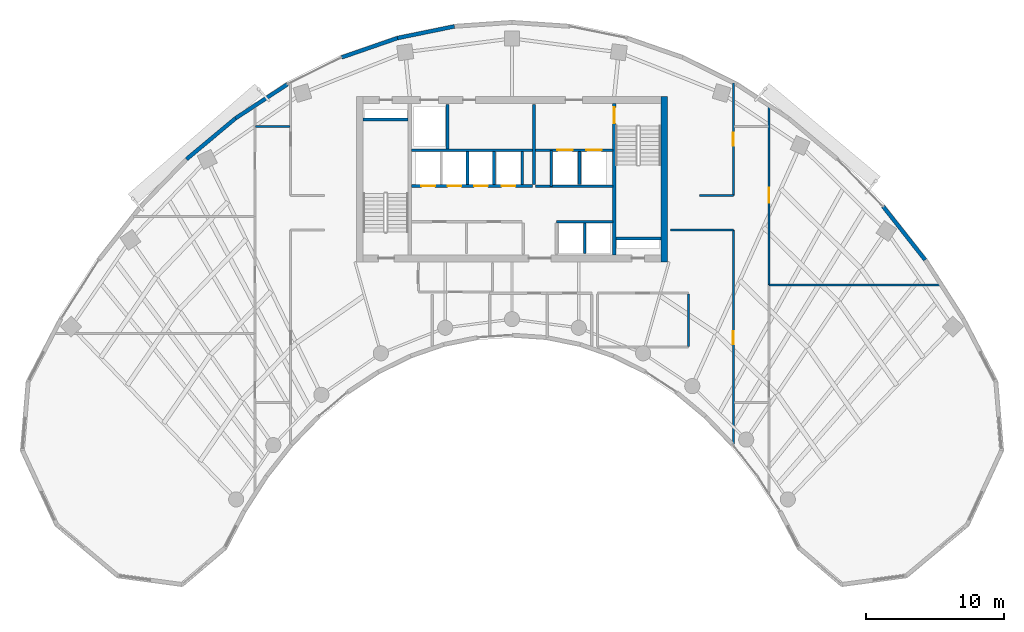
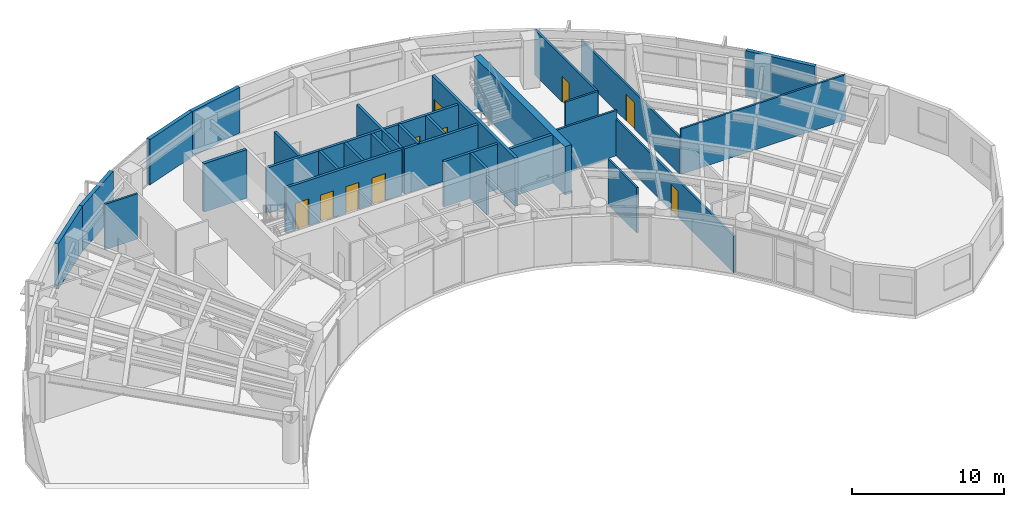
# One storey, part 9 of 12: 30 walls, 10 doors, 10 openings.
"""IFC4 building model written with IfcOpenShell, lengths in metres."""

from ifc_helpers import new_model, si_unit, direction, frame, frame_2d, origin, place, context, subcontext, project, spatial, rectangle, extrude, source, transform, mapped, material, layer, layer_set, type_object, type_shapes, element, fill, save


model = new_model("IFC4")

# Units and contexts
model_context = context("Model", 3, precision=1e-05, world=origin(), true_north=direction((0.0, 1.0)))
body_context = subcontext(model_context, "Body", "Model", "MODEL_VIEW")
ifc_project = project(units=[si_unit("LENGTHUNIT", "METRE"), si_unit("AREAUNIT", "SQUARE_METRE"), si_unit("VOLUMEUNIT", "CUBIC_METRE"), si_unit("PLANEANGLEUNIT", "RADIAN"), si_unit("MASSUNIT", "GRAM", prefix="KILO")], contexts=[model_context])

# Site, building, storey
site_placement = place(None, origin())
site = spatial("IfcSite", under=ifc_project, at=site_placement, CompositionType="ELEMENT")
building_placement = place(site_placement, origin())
building = spatial("IfcBuilding", under=site, at=building_placement, Name="Breltana Convention Tower", CompositionType="ELEMENT")
storey_placement = place(building_placement, frame((0.0, 0.0, 150.60009765625)))
storey = spatial("IfcBuildingStorey", under=building, at=storey_placement, Name="L36", CompositionType="ELEMENT", Elevation=150.60009765625)

# Walls
ifc_material_1 = material(Name="Concrete C60/75", Category="concrete")
ifc_layer_1 = layer(ifc_material_1, 0.5, Name="Concrete C60/75")
ifc_layer_set_1 = layer_set([ifc_layer_1], Name="Concrete C60/75")
wall_type_1 = type_object("IfcWallType", Name="SW-CORE-500", PredefinedType="SHEAR", material=ifc_layer_set_1)
shared_shape_1 = source(origin(), body_context, "Body", "SweptSolid", [
    extrude(rectangle(XDim=12.0, YDim=0.5, at=frame_2d((6.0, 0.0))), origin(), (0.0, 0.0, 1.0), 3.89990234375),
])
wall_1_placement = place(storey_placement, frame((59.050048828125, 60.199951171875, 0.0), z_axis=(0.0, 0.0, 1.0), x_axis=(0.0, 1.0, 0.0)))
element("IfcWall", 1, at=wall_1_placement, inside=storey, type_object=wall_type_1, Name="L36 East Core Shear Wall", PredefinedType="SHEAR", context=body_context, shape_type="MappedRepresentation", body=[
    mapped(shared_shape_1, transform((0.0, 0.0, 0.0), scale=1.0)),
])
ifc_material_2 = material(Name="Concrete C50/60", Category="concrete")
ifc_layer_2 = layer(ifc_material_2, 0.39990234375, Name="Concrete C50/60")
ifc_layer_set_2 = layer_set([ifc_layer_2], Name="Concrete C50/60")
wall_type_2 = type_object("IfcWallType", Name="SW-CORE-400", PredefinedType="SHEAR", material=ifc_layer_set_2)
shared_shape_2 = source(origin(), body_context, "Body", "SweptSolid", [
    extrude(rectangle(XDim=3.27001953125, YDim=0.219970703125, at=frame_2d((1.635009765625, 0.0))), origin(), (0.0, 0.0, 1.0), 3.89990234375),
])
for number, where, z_axis, x_axis, name in (
    (2, (37.199951171875, 70.510009765625, 0.0), (0.0, 0.0, 1.0), (1.0, 0.0, 0.0), "L36 ST-1 Stairwell North Bearing Wall"),
    (3, (55.530029296875, 61.889892578125, 0.0), (0.0, 0.0, 1.0), (1.0, 0.0, 0.0), "L36 ST-2 Stairwell South Bearing Wall"),
):
    element("IfcWall", number, at=place(storey_placement, frame(where, z_axis=z_axis, x_axis=x_axis)), inside=storey, type_object=wall_type_2, Name=name, PredefinedType="SHEAR", context=body_context, shape_type="MappedRepresentation", body=[
        mapped(shared_shape_2, transform((0.0, 0.0, 0.0), scale=1.0)),
    ])

# Wall, opening, door
shared_shape_3 = source(origin(), body_context, "Body", "SweptSolid", [
    extrude(rectangle(XDim=11.0, YDim=0.219970703125, at=frame_2d((5.5, 0.0))), origin(), (0.0, 0.0, 1.0), 3.89990234375),
])
wall_2_placement = place(storey_placement, frame((55.419921875, 60.699951171875, 0.0), z_axis=(0.0, 0.0, 1.0), x_axis=(0.0, 1.0, 0.0)))
wall_2 = element("IfcWall", 4, at=wall_2_placement, inside=storey, type_object=wall_type_2, Name="L36 Core East Stair Spine Wall", PredefinedType="SHEAR", context=body_context, shape_type="MappedRepresentation", body=[
    mapped(shared_shape_3, transform((0.0, 0.0, 0.0), scale=1.0)),
])
opening_1_placement = place(wall_2_placement, frame((9.544921875, 0.0, 0.0)))
opening_1 = element("IfcOpeningElement", 5, at=opening_1_placement, cuts=wall_2, Name="Opening D-11", PredefinedType="OPENING", context=body_context, shape_type="SweptSolid", body=[
    extrude(rectangle(XDim=1.14990234375, YDim=2.14990234375, at=frame_2d((0.574951171875, 1.074951171875))), frame((0.0, 0.1201171875, 0.0), z_axis=(0.0, -1.0, 0.0), x_axis=(1.0, 0.0, 0.0)), (0.0, 0.0, 1.0), 0.239990234375),
])
ifc_material_3 = material(Name="Steel Stair Exit Door", Category="steel")
door_type_1 = type_object("IfcDoorType", Name="DR-FD120-1150", OperationType="NOTDEFINED", PredefinedType="DOOR", material=ifc_material_3)
shared_shape_4 = source(origin(), body_context, "Body", "SweptSolid", [
    extrude(rectangle(XDim=1.14990234375, YDim=2.14990234375, at=frame_2d((0.574951171875, 1.074951171875))), frame((0.0, 0.02490234375, 0.0), z_axis=(0.0, -1.0, 0.0), x_axis=(1.0, 0.0, 0.0)), (0.0, 0.0, 1.0), 0.050048828125),
])
type_shapes(door_type_1, [shared_shape_4])
door_1_placement = place(opening_1_placement, origin())
door_1 = element("IfcDoor", 6, at=door_1_placement, inside=storey, type_object=door_type_1, Name="L36 interior door D-L36-ST2", OperationType="SINGLE_SWING_LEFT", OverallHeight=2.14990234375, OverallWidth=1.14990234375, PredefinedType="DOOR", context=body_context, shape_type="MappedRepresentation", body=[
    mapped(shared_shape_4, transform((0.0, 0.0, 0.0), scale=1.0)),
])
fill(opening_1, door_1)

# Walls
ifc_material_4 = material(Name="Limestone Buff Insulated Wall", Category="masonry")
ifc_layer_3 = layer(ifc_material_4, 0.280029296875, Name="Limestone Buff Insulated Wall")
ifc_layer_set_3 = layer_set([ifc_layer_3], Name="Limestone Buff Insulated Wall")
wall_type_3 = type_object("IfcWallType", Name="WL-EXT-NOSE-280", PredefinedType="SOLIDWALL", material=ifc_layer_set_3)
shared_shape_5 = source(origin(), body_context, "Body", "SweptSolid", [
    extrude(rectangle(XDim=4.921630859375, YDim=0.280029296875, at=frame_2d((2.4609375, 0.0))), origin(), (0.0, 0.0, 1.0), 3.64990234375),
])
wall_3_placement = place(storey_placement, frame((74.936279296875, 64.206298828125, 0.0), z_axis=(0.0, 0.0, 1.0), x_axis=(0.61817639101, -0.786039407153, 0.0)))
element("IfcWall", 7, at=wall_3_placement, inside=storey, type_object=wall_type_3, Name="L36 curved limestone nose wall E32", PredefinedType="SOLIDWALL", context=body_context, shape_type="MappedRepresentation", body=[
    mapped(shared_shape_5, transform((0.0, 0.0, 0.0), scale=1.0)),
])
shared_shape_6 = source(origin(), body_context, "Body", "SweptSolid", [
    extrude(rectangle(XDim=4.633544921875, YDim=0.280029296875, at=frame_2d((2.31689453125, 0.0))), origin(), (0.0, 0.0, 1.0), 3.64990234375),
])
wall_4_placement = place(storey_placement, frame((24.381103515625, 67.64208984375, 0.0), z_axis=(0.0, 0.0, 1.0), x_axis=(0.767910229096, 0.640557475993, 0.0)))
element("IfcWall", 8, at=wall_4_placement, inside=storey, type_object=wall_type_3, Name="L36 curved limestone nose wall E22", PredefinedType="SOLIDWALL", context=body_context, shape_type="MappedRepresentation", body=[
    mapped(shared_shape_6, transform((0.0, 0.0, 0.0), scale=1.0)),
])
shared_shape_7 = source(origin(), body_context, "Body", "SweptSolid", [
    extrude(rectangle(XDim=4.500732421875, YDim=0.280029296875, at=frame_2d((2.25048828125, 0.0))), origin(), (0.0, 0.0, 1.0), 3.64990234375),
])
wall_5_placement = place(storey_placement, frame((27.939208984375, 70.610107421875, 0.0), z_axis=(0.0, 0.0, 1.0), x_axis=(0.835984920737, 0.548752414391, 0.0)))
element("IfcWall", 9, at=wall_5_placement, inside=storey, type_object=wall_type_3, Name="L36 curved limestone nose wall E23", PredefinedType="SOLIDWALL", context=body_context, shape_type="MappedRepresentation", body=[
    mapped(shared_shape_7, transform((0.0, 0.0, 0.0), scale=1.0)),
])
shared_shape_8 = source(origin(), body_context, "Body", "SweptSolid", [
    extrude(rectangle(XDim=4.289794921875, YDim=0.280029296875, at=frame_2d((2.14501953125, 0.0))), origin(), (0.0, 0.0, 1.0), 3.64990234375),
])
wall_6_placement = place(storey_placement, frame((35.629638671875, 75.02685546875, 0.0), z_axis=(0.0, 0.0, 1.0), x_axis=(0.944883859218, 0.3274057003, 0.0)))
element("IfcWall", 10, at=wall_6_placement, inside=storey, type_object=wall_type_3, Name="L36 curved limestone nose wall E24", PredefinedType="SOLIDWALL", context=body_context, shape_type="MappedRepresentation", body=[
    mapped(shared_shape_8, transform((0.0, 0.0, 0.0), scale=1.0)),
])
shared_shape_9 = source(origin(), body_context, "Body", "SweptSolid", [
    extrude(rectangle(XDim=4.223388671875, YDim=0.280029296875, at=frame_2d((2.11181640625, 0.0))), origin(), (0.0, 0.0, 1.0), 3.64990234375),
])
wall_7_placement = place(storey_placement, frame((39.68310546875, 76.431396484375, 0.0), z_axis=(0.0, 0.0, 1.0), x_axis=(0.979615245085, 0.200882979858, 0.0)))
element("IfcWall", 11, at=wall_7_placement, inside=storey, type_object=wall_type_3, Name="L36 curved limestone nose wall E25", PredefinedType="SOLIDWALL", context=body_context, shape_type="MappedRepresentation", body=[
    mapped(shared_shape_9, transform((0.0, 0.0, 0.0), scale=1.0)),
])

# Wall, openings, doors
ifc_material_5 = material(Name="Autoclaved Aerated Concrete Block", Category="concrete")
ifc_layer_4 = layer(ifc_material_5, 0.199951171875, Name="Autoclaved Aerated Concrete Block")
ifc_layer_set_4 = layer_set([ifc_layer_4], Name="Autoclaved Aerated Concrete Block")
wall_type_4 = type_object("IfcWallType", Name="WL-SHAFT-200", PredefinedType="SOLIDWALL", material=ifc_layer_set_4)
shared_shape_10 = source(origin(), body_context, "Body", "SweptSolid", [
    extrude(rectangle(XDim=5.6201171875, YDim=0.199951171875, at=frame_2d((2.81005859375, 0.0))), origin(), (0.0, 0.0, 1.0), 3.64990234375),
])
wall_8_placement = place(storey_placement, frame((49.699951171875, 68.300048828125, 0.0), z_axis=(0.0, 0.0, 1.0), x_axis=(1.0, 0.0, 0.0)))
wall_8 = element("IfcWall", 12, at=wall_8_placement, inside=storey, type_object=wall_type_4, Name="L36 interior partition W-L36-FFL-S", PredefinedType="SOLIDWALL", context=body_context, shape_type="MappedRepresentation", body=[
    mapped(shared_shape_10, transform((0.0, 0.0, 0.0), scale=1.0)),
])
opening_2_placement = place(wall_8_placement, frame((1.60009765625, 0.0, 0.0)))
opening_2 = element("IfcOpeningElement", 13, at=opening_2_placement, cuts=wall_8, Name="Opening LD-03", PredefinedType="OPENING", context=body_context, shape_type="SweptSolid", body=[
    extrude(rectangle(XDim=1.10009765625, YDim=2.14990234375, at=frame_2d((0.550048828125, 1.074951171875))), frame((0.0, 0.10986328125, 0.0), z_axis=(0.0, -1.0, 0.0), x_axis=(1.0, 0.0, 0.0)), (0.0, 0.0, 1.0), 0.219970703125),
])
opening_3_placement = place(wall_8_placement, frame((3.699951171875, 0.0, 0.0)))
opening_3 = element("IfcOpeningElement", 14, at=opening_3_placement, cuts=wall_8, Name="Opening LD-03", PredefinedType="OPENING", context=body_context, shape_type="SweptSolid", body=[
    extrude(rectangle(XDim=1.10009765625, YDim=2.14990234375, at=frame_2d((0.550048828125, 1.074951171875))), frame((0.0, 0.10986328125, 0.0), z_axis=(0.0, -1.0, 0.0), x_axis=(1.0, 0.0, 0.0)), (0.0, 0.0, 1.0), 0.219970703125),
])
ifc_material_6 = material(Name="Stainless Steel Brushed", Category="steel")
door_type_2 = type_object("IfcDoorType", Name="DR-LD-FF-1100", OperationType="DOUBLE_DOOR_SLIDING", PredefinedType="DOOR", material=ifc_material_6)
shared_shape_11 = source(origin(), body_context, "Body", "SweptSolid", [
    extrude(rectangle(XDim=1.10009765625, YDim=2.14990234375, at=frame_2d((0.550048828125, 1.074951171875))), frame((0.0, 0.02490234375, 0.0), z_axis=(0.0, -1.0, 0.0), x_axis=(1.0, 0.0, 0.0)), (0.0, 0.0, 1.0), 0.050048828125),
])
type_shapes(door_type_2, [shared_shape_11])
door_2_placement = place(opening_2_placement, origin())
door_2 = element("IfcDoor", 15, at=door_2_placement, inside=storey, type_object=door_type_2, Name="L36 Lift Landing Door D-L36-LD-FL1", OperationType="DOUBLE_DOOR_SLIDING", OverallHeight=2.14990234375, OverallWidth=1.10009765625, PredefinedType="DOOR", context=body_context, shape_type="MappedRepresentation", body=[
    mapped(shared_shape_11, transform((0.0, 0.0, 0.0), scale=1.0)),
])
fill(opening_2, door_2)
door_3_placement = place(opening_3_placement, origin())
door_3 = element("IfcDoor", 16, at=door_3_placement, inside=storey, type_object=door_type_2, Name="L36 Lift Landing Door D-L36-LD-FL2", OperationType="DOUBLE_DOOR_SLIDING", OverallHeight=2.14990234375, OverallWidth=1.10009765625, PredefinedType="DOOR", context=body_context, shape_type="MappedRepresentation", body=[
    mapped(shared_shape_11, transform((0.0, 0.0, 0.0), scale=1.0)),
])
fill(opening_3, door_3)

# Walls
wall_9_placement = place(storey_placement, frame((49.699951171875, 65.679931640625, 0.0), z_axis=(0.0, 0.0, 1.0), x_axis=(1.0, 0.0, 0.0)))
element("IfcWall", 17, at=wall_9_placement, inside=storey, type_object=wall_type_4, Name="L36 interior partition W-L36-FL-S", PredefinedType="SOLIDWALL", context=body_context, shape_type="MappedRepresentation", body=[
    mapped(shared_shape_10, transform((0.0, 0.0, 0.0), scale=1.0)),
])
shared_shape_12 = source(origin(), body_context, "Body", "SweptSolid", [
    extrude(rectangle(XDim=5.800048828125, YDim=0.199951171875, at=frame_2d((2.89990234375, 0.0))), origin(), (0.0, 0.0, 1.0), 3.64990234375),
])
wall_10_placement = place(storey_placement, frame((49.60009765625, 65.800048828125, 0.0), z_axis=(0.0, 0.0, 1.0), x_axis=(0.0, 1.0, 0.0)))
element("IfcWall", 18, at=wall_10_placement, inside=storey, type_object=wall_type_4, Name="L36 interior partition W-L36-FFL-W", PredefinedType="SOLIDWALL", context=body_context, shape_type="MappedRepresentation", body=[
    mapped(shared_shape_12, transform((0.0, 0.0, 0.0), scale=1.0)),
])
shared_shape_13 = source(origin(), body_context, "Body", "SweptSolid", [
    extrude(rectangle(XDim=2.580078125, YDim=0.199951171875, at=frame_2d((1.2900390625, 0.0))), origin(), (0.0, 0.0, 1.0), 3.64990234375),
])
wall_11_placement = place(storey_placement, frame((50.85009765625, 65.679931640625, 0.0), z_axis=(0.0, 0.0, 1.0), x_axis=(0.0, 1.0, 0.0)))
element("IfcWall", 19, at=wall_11_placement, inside=storey, type_object=wall_type_4, Name="L36 interior partition W-L36-FL-W", PredefinedType="SOLIDWALL", context=body_context, shape_type="MappedRepresentation", body=[
    mapped(shared_shape_13, transform((0.0, 0.0, 0.0), scale=1.0)),
])
shared_shape_14 = source(origin(), body_context, "Body", "SweptSolid", [
    extrude(rectangle(XDim=2.39990234375, YDim=0.199951171875, at=frame_2d((1.199951171875, 0.0))), origin(), (0.0, 0.0, 1.0), 3.64990234375),
])
for number, where, z_axis, x_axis, name in (
    (20, (52.89990234375, 65.800048828125, 0.0), (0.0, 0.0, 1.0), (0.0, 1.0, 0.0), "L36 interior partition W-L36-FL-DIV"),
    (21, (48.75, 65.800048828125, 0.0), (0.0, 0.0, 1.0), (0.0, 1.0, 0.0), "L36 interior partition W-L36-SH-M-END"),
    (22, (44.77001953125, 65.800048828125, 0.0), (0.0, 0.0, 1.0), (0.0, 1.0, 0.0), "L36 interior partition W-L36-SH-M-DIV2"),
    (23, (46.699951171875, 65.800048828125, 0.0), (0.0, 0.0, 1.0), (0.0, 1.0, 0.0), "L36 interior partition W-L36-SH-M-DIV3"),
):
    element("IfcWall", number, at=place(storey_placement, frame(where, z_axis=z_axis, x_axis=x_axis)), inside=storey, type_object=wall_type_4, Name=name, PredefinedType="SOLIDWALL", context=body_context, shape_type="MappedRepresentation", body=[
        mapped(shared_shape_14, transform((0.0, 0.0, 0.0), scale=1.0)),
    ])
shared_shape_15 = source(origin(), body_context, "Body", "SweptSolid", [
    extrude(rectangle(XDim=3.2001953125, YDim=0.199951171875, at=frame_2d((1.60009765625, 0.0))), origin(), (0.0, 0.0, 1.0), 3.64990234375),
])
wall_12_placement = place(storey_placement, frame((43.320068359375, 68.39990234375, 0.0), z_axis=(0.0, 0.0, 1.0), x_axis=(0.0, 1.0, 0.0)))
element("IfcWall", 24, at=wall_12_placement, inside=storey, type_object=wall_type_4, Name="L36 interior partition W-L36-SV-E", PredefinedType="SOLIDWALL", context=body_context, shape_type="MappedRepresentation", body=[
    mapped(shared_shape_15, transform((0.0, 0.0, 0.0), scale=1.0)),
])
shared_shape_16 = source(origin(), body_context, "Body", "SweptSolid", [
    extrude(rectangle(XDim=8.800048828125, YDim=0.199951171875, at=frame_2d((4.39990234375, 0.0))), origin(), (0.0, 0.0, 1.0), 3.64990234375),
])
wall_13_placement = place(storey_placement, frame((40.699951171875, 68.300048828125, 0.0), z_axis=(0.0, 0.0, 1.0), x_axis=(1.0, 0.0, 0.0)))
element("IfcWall", 25, at=wall_13_placement, inside=storey, type_object=wall_type_4, Name="L36 interior partition W-L36-SV-S", PredefinedType="SOLIDWALL", context=body_context, shape_type="MappedRepresentation", body=[
    mapped(shared_shape_16, transform((0.0, 0.0, 0.0), scale=1.0)),
])

# Wall, openings, doors
wall_14_placement = place(storey_placement, frame((40.699951171875, 65.699951171875, 0.0), z_axis=(0.0, 0.0, 1.0), x_axis=(1.0, 0.0, 0.0)))
wall_14 = element("IfcWall", 26, at=wall_14_placement, inside=storey, type_object=wall_type_4, Name="L36 interior partition W-L36-SH-M-FRONT", PredefinedType="SOLIDWALL", context=body_context, shape_type="MappedRepresentation", body=[
    mapped(shared_shape_16, transform((0.0, 0.0, 0.0), scale=1.0)),
])
opening_4_placement = place(wall_14_placement, frame((0.719970703125, 0.0, 0.0)))
opening_4 = element("IfcOpeningElement", 27, at=opening_4_placement, cuts=wall_14, Name="Opening LD-04", PredefinedType="OPENING", context=body_context, shape_type="SweptSolid", body=[
    extrude(rectangle(XDim=1.0, YDim=2.14990234375, at=frame_2d((0.5, 1.074951171875))), frame((0.0, 0.10986328125, 0.0), z_axis=(0.0, -1.0, 0.0), x_axis=(1.0, 0.0, 0.0)), (0.0, 0.0, 1.0), 0.219970703125),
])
opening_5_placement = place(wall_14_placement, frame((2.6201171875, 0.0, 0.0)))
opening_5 = element("IfcOpeningElement", 28, at=opening_5_placement, cuts=wall_14, Name="Opening LD-04", PredefinedType="OPENING", context=body_context, shape_type="SweptSolid", body=[
    extrude(rectangle(XDim=1.0, YDim=2.14990234375, at=frame_2d((0.5, 1.074951171875))), frame((0.0, 0.10986328125, 0.0), z_axis=(0.0, -1.0, 0.0), x_axis=(1.0, 0.0, 0.0)), (0.0, 0.0, 1.0), 0.219970703125),
])
opening_6_placement = place(wall_14_placement, frame((4.550048828125, 0.0, 0.0)))
opening_6 = element("IfcOpeningElement", 29, at=opening_6_placement, cuts=wall_14, Name="Opening LD-04", PredefinedType="OPENING", context=body_context, shape_type="SweptSolid", body=[
    extrude(rectangle(XDim=1.0, YDim=2.14990234375, at=frame_2d((0.5, 1.074951171875))), frame((0.0, 0.10986328125, 0.0), z_axis=(0.0, -1.0, 0.0), x_axis=(1.0, 0.0, 0.0)), (0.0, 0.0, 1.0), 0.219970703125),
])
opening_7_placement = place(wall_14_placement, frame((6.550048828125, 0.0, 0.0)))
opening_7 = element("IfcOpeningElement", 30, at=opening_7_placement, cuts=wall_14, Name="Opening LD-04", PredefinedType="OPENING", context=body_context, shape_type="SweptSolid", body=[
    extrude(rectangle(XDim=1.0, YDim=2.14990234375, at=frame_2d((0.5, 1.074951171875))), frame((0.0, 0.10986328125, 0.0), z_axis=(0.0, -1.0, 0.0), x_axis=(1.0, 0.0, 0.0)), (0.0, 0.0, 1.0), 0.219970703125),
])
door_type_3 = type_object("IfcDoorType", Name="DR-LD-PAX-1000", OperationType="DOUBLE_DOOR_SLIDING", PredefinedType="DOOR", material=ifc_material_6)
shared_shape_17 = source(origin(), body_context, "Body", "SweptSolid", [
    extrude(rectangle(XDim=1.0, YDim=2.14990234375, at=frame_2d((0.5, 1.074951171875))), frame((0.0, 0.02490234375, 0.0), z_axis=(0.0, -1.0, 0.0), x_axis=(1.0, 0.0, 0.0)), (0.0, 0.0, 1.0), 0.050048828125),
])
type_shapes(door_type_3, [shared_shape_17])
door_4_placement = place(opening_4_placement, origin())
door_4 = element("IfcDoor", 31, at=door_4_placement, inside=storey, type_object=door_type_3, Name="L36 Lift Landing Door D-L36-LD-M1", OperationType="DOUBLE_DOOR_SLIDING", OverallHeight=2.14990234375, OverallWidth=1.0, PredefinedType="DOOR", context=body_context, shape_type="MappedRepresentation", body=[
    mapped(shared_shape_17, transform((0.0, 0.0, 0.0), scale=1.0)),
])
fill(opening_4, door_4)
door_5_placement = place(opening_5_placement, origin())
door_5 = element("IfcDoor", 32, at=door_5_placement, inside=storey, type_object=door_type_3, Name="L36 Lift Landing Door D-L36-LD-M2", OperationType="DOUBLE_DOOR_SLIDING", OverallHeight=2.14990234375, OverallWidth=1.0, PredefinedType="DOOR", context=body_context, shape_type="MappedRepresentation", body=[
    mapped(shared_shape_17, transform((0.0, 0.0, 0.0), scale=1.0)),
])
fill(opening_5, door_5)
door_6_placement = place(opening_6_placement, origin())
door_6 = element("IfcDoor", 33, at=door_6_placement, inside=storey, type_object=door_type_3, Name="L36 Lift Landing Door D-L36-LD-M3", OperationType="DOUBLE_DOOR_SLIDING", OverallHeight=2.14990234375, OverallWidth=1.0, PredefinedType="DOOR", context=body_context, shape_type="MappedRepresentation", body=[
    mapped(shared_shape_17, transform((0.0, 0.0, 0.0), scale=1.0)),
])
fill(opening_6, door_6)
door_7_placement = place(opening_7_placement, origin())
door_7 = element("IfcDoor", 34, at=door_7_placement, inside=storey, type_object=door_type_3, Name="L36 Lift Landing Door D-L36-LD-M4", OperationType="DOUBLE_DOOR_SLIDING", OverallHeight=2.14990234375, OverallWidth=1.0, PredefinedType="DOOR", context=body_context, shape_type="MappedRepresentation", body=[
    mapped(shared_shape_17, transform((0.0, 0.0, 0.0), scale=1.0)),
])
fill(opening_7, door_7)

# Walls
shared_shape_18 = source(origin(), body_context, "Body", "SweptSolid", [
    extrude(rectangle(XDim=4.10009765625, YDim=0.199951171875, at=frame_2d((2.050048828125, 0.0))), origin(), (0.0, 0.0, 1.0), 3.64990234375),
])
wall_15_placement = place(storey_placement, frame((51.219970703125, 63.10009765625, 0.0), z_axis=(0.0, 0.0, 1.0), x_axis=(1.0, 0.0, 0.0)))
element("IfcWall", 35, at=wall_15_placement, inside=storey, type_object=wall_type_4, Name="L36 interior partition W-L36-SH-X-FRONT", PredefinedType="SOLIDWALL", context=body_context, shape_type="MappedRepresentation", body=[
    mapped(shared_shape_18, transform((0.0, 0.0, 0.0), scale=1.0)),
])
shared_shape_19 = source(origin(), body_context, "Body", "SweptSolid", [
    extrude(rectangle(XDim=2.199951171875, YDim=0.199951171875, at=frame_2d((1.10009765625, 0.0))), origin(), (0.0, 0.0, 1.0), 3.64990234375),
])
wall_16_placement = place(storey_placement, frame((53.280029296875, 60.800048828125, 0.0), z_axis=(0.0, 0.0, 1.0), x_axis=(0.0, 1.0, 0.0)))
element("IfcWall", 36, at=wall_16_placement, inside=storey, type_object=wall_type_4, Name="L36 interior partition W-L36-SH-X-DIV", PredefinedType="SOLIDWALL", context=body_context, shape_type="MappedRepresentation", body=[
    mapped(shared_shape_19, transform((0.0, 0.0, 0.0), scale=1.0)),
])
ifc_material_7 = material(Name="Gypsum Acoustic Drywall Partition")
ifc_layer_5 = layer(ifc_material_7, 0.14990234375, Name="Gypsum Acoustic Drywall Partition")
ifc_layer_set_5 = layer_set([ifc_layer_5], Name="Gypsum Acoustic Drywall Partition")
wall_type_5 = type_object("IfcWallType", Name="WL-PART-150", PredefinedType="PARTITIONING", material=ifc_layer_set_5)
shared_shape_20 = source(origin(), body_context, "Body", "SweptSolid", [
    extrude(rectangle(XDim=3.78515625, YDim=0.14990234375, at=frame_2d((1.892578125, 0.0))), origin(), (0.0, 0.0, 1.0), 3.64990234375),
])
wall_17_placement = place(storey_placement, frame((60.800048828125, 54.0673828125, 0.0), z_axis=(0.0, 0.0, 1.0), x_axis=(0.0, 1.0, 0.0)))
element("IfcWall", 37, at=wall_17_placement, inside=storey, type_object=wall_type_5, Name="L36 interior partition W-L36-PNT-E", PredefinedType="PARTITIONING", context=body_context, shape_type="MappedRepresentation", body=[
    mapped(shared_shape_20, transform((0.0, 0.0, 0.0), scale=1.0)),
])
shared_shape_21 = source(origin(), body_context, "Body", "SweptSolid", [
    extrude(rectangle(XDim=2.5, YDim=0.14990234375, at=frame_2d((1.25, 0.0))), origin(), (0.0, 0.0, 1.0), 3.64990234375),
])
wall_18_placement = place(storey_placement, frame((29.39990234375, 70.0, 0.0), z_axis=(0.0, 0.0, 1.0), x_axis=(1.0, 0.0, 0.0)))
element("IfcWall", 38, at=wall_18_placement, inside=storey, type_object=wall_type_5, Name="L36 interior partition W-L36-CORNW-N", PredefinedType="PARTITIONING", context=body_context, shape_type="MappedRepresentation", body=[
    mapped(shared_shape_21, transform((0.0, 0.0, 0.0), scale=1.0)),
])
shared_shape_22 = source(origin(), body_context, "Body", "SweptSolid", [
    extrude(rectangle(XDim=12.506591796875, YDim=0.14990234375, at=frame_2d((6.25341796875, 0.0))), origin(), (0.0, 0.0, 1.0), 3.64990234375),
])
wall_19_placement = place(storey_placement, frame((66.639892578125, 58.5, 0.0), z_axis=(0.0, 0.0, 1.0), x_axis=(1.0, 0.0, 0.0)))
element("IfcWall", 39, at=wall_19_placement, inside=storey, type_object=wall_type_5, Name="L36 interior partition W-L36-ZE1-N", PredefinedType="PARTITIONING", context=body_context, shape_type="MappedRepresentation", body=[
    mapped(shared_shape_22, transform((0.0, 0.0, 0.0), scale=1.0)),
])

# Wall, opening, door
shared_shape_23 = source(origin(), body_context, "Body", "SweptSolid", [
    extrude(rectangle(XDim=13.03076171875, YDim=0.14990234375, at=frame_2d((6.515380859375, 0.0))), origin(), (0.0, 0.0, 1.0), 2.94189453125),
])
wall_20_placement = place(storey_placement, frame((66.639892578125, 58.5, 0.0), z_axis=(0.0, 0.0, 1.0), x_axis=(0.0, 1.0, 0.0)))
wall_20 = element("IfcWall", 40, at=wall_20_placement, inside=storey, type_object=wall_type_5, Name="L36 interior partition W-L36-ZE2-W", PredefinedType="PARTITIONING", context=body_context, shape_type="MappedRepresentation", body=[
    mapped(shared_shape_23, transform((0.0, 0.0, 0.0), scale=1.0)),
])
opening_8_placement = place(wall_20_placement, frame((5.96533203125, 0.0, 0.0)))
opening_8 = element("IfcOpeningElement", 41, at=opening_8_placement, cuts=wall_20, Name="Opening D-12", PredefinedType="OPENING", context=body_context, shape_type="SweptSolid", body=[
    extrude(rectangle(XDim=1.10009765625, YDim=2.14990234375, at=frame_2d((0.550048828125, 1.074951171875))), frame((0.0, 0.0849609375, 0.0), z_axis=(0.0, -1.0, 0.0), x_axis=(1.0, 0.0, 0.0)), (0.0, 0.0, 1.0), 0.169921875),
])
ifc_material_8 = material(Name="Timber Oak Acoustic Door", Category="wood")
door_type_4 = type_object("IfcDoorType", Name="DR-INT-1100", OperationType="NOTDEFINED", PredefinedType="DOOR", material=ifc_material_8)
shared_shape_24 = source(origin(), body_context, "Body", "SweptSolid", [
    extrude(rectangle(XDim=1.10009765625, YDim=2.14990234375, at=frame_2d((0.550048828125, 1.074951171875))), frame((0.0, 0.02490234375, 0.0), z_axis=(0.0, -1.0, 0.0), x_axis=(1.0, 0.0, 0.0)), (0.0, 0.0, 1.0), 0.050048828125),
])
type_shapes(door_type_4, [shared_shape_24])
door_8_placement = place(opening_8_placement, origin())
door_8 = element("IfcDoor", 42, at=door_8_placement, inside=storey, type_object=door_type_4, Name="L36 interior door D-L36-ZE2", OperationType="SINGLE_SWING_RIGHT", OverallHeight=2.14990234375, OverallWidth=1.10009765625, PredefinedType="DOOR", context=body_context, shape_type="MappedRepresentation", body=[
    mapped(shared_shape_24, transform((0.0, 0.0, 0.0), scale=1.0)),
])
fill(opening_8, door_8)

shared_shape_25 = source(origin(), body_context, "Body", "SweptSolid", [
    extrude(rectangle(XDim=15.597900390625, YDim=0.14990234375, at=frame_2d((7.798828125, 0.0))), origin(), (0.0, 0.0, 1.0), 2.94189453125),
])
wall_21_placement = place(storey_placement, frame((64.06005859375, 46.902099609375, 0.0), z_axis=(0.0, 0.0, 1.0), x_axis=(0.0, 1.0, 0.0)))
wall_21 = element("IfcWall", 43, at=wall_21_placement, inside=storey, type_object=wall_type_5, Name="L36 interior partition W-L36-ZME1-D", PredefinedType="PARTITIONING", context=body_context, shape_type="MappedRepresentation", body=[
    mapped(shared_shape_25, transform((0.0, 0.0, 0.0), scale=1.0)),
])
opening_9_placement = place(wall_21_placement, frame((7.323974609375, 0.0, 0.0)))
opening_9 = element("IfcOpeningElement", 44, at=opening_9_placement, cuts=wall_21, Name="Opening D-17", PredefinedType="OPENING", context=body_context, shape_type="SweptSolid", body=[
    extrude(rectangle(XDim=0.949951171875, YDim=2.10009765625, at=frame_2d((0.47509765625, 1.050048828125))), frame((0.0, 0.0849609375, 0.0), z_axis=(0.0, -1.0, 0.0), x_axis=(1.0, 0.0, 0.0)), (0.0, 0.0, 1.0), 0.169921875),
])
ifc_material_9 = material(Name="Timber Oak Veneer Door", Category="wood")
door_type_5 = type_object("IfcDoorType", Name="DR-INT-950", OperationType="NOTDEFINED", PredefinedType="DOOR", material=ifc_material_9)
shared_shape_26 = source(origin(), body_context, "Body", "SweptSolid", [
    extrude(rectangle(XDim=0.949951171875, YDim=2.10009765625, at=frame_2d((0.47509765625, 1.050048828125))), frame((0.0, 0.02490234375, 0.0), z_axis=(0.0, -1.0, 0.0), x_axis=(1.0, 0.0, 0.0)), (0.0, 0.0, 1.0), 0.050048828125),
])
type_shapes(door_type_5, [shared_shape_26])
door_9_placement = place(opening_9_placement, origin())
door_9 = element("IfcDoor", 45, at=door_9_placement, inside=storey, type_object=door_type_5, Name="L36 interior door D-L36-ZME1", OperationType="SINGLE_SWING_LEFT", OverallHeight=2.10009765625, OverallWidth=0.949951171875, PredefinedType="DOOR", context=body_context, shape_type="MappedRepresentation", body=[
    mapped(shared_shape_26, transform((0.0, 0.0, 0.0), scale=1.0)),
])
fill(opening_9, door_9)

# Wall
shared_shape_27 = source(origin(), body_context, "Body", "SweptSolid", [
    extrude(rectangle(XDim=2.4599609375, YDim=0.14990234375, at=frame_2d((1.22998046875, 0.0))), origin(), (0.0, 0.0, 1.0), 3.64990234375),
])
wall_22_placement = place(storey_placement, frame((61.60009765625, 65.0, 0.0), z_axis=(0.0, 0.0, 1.0), x_axis=(1.0, 0.0, 0.0)))
element("IfcWall", 46, at=wall_22_placement, inside=storey, type_object=wall_type_5, Name="L36 interior partition W-L36-ZME2-TS", PredefinedType="PARTITIONING", context=body_context, shape_type="MappedRepresentation", body=[
    mapped(shared_shape_27, transform((0.0, 0.0, 0.0), scale=1.0)),
])

# Wall, opening, door
shared_shape_28 = source(origin(), body_context, "Body", "SweptSolid", [
    extrude(rectangle(XDim=8.186767578125, YDim=0.14990234375, at=frame_2d((4.09326171875, 0.0))), origin(), (0.0, 0.0, 1.0), 3.64990234375),
])
wall_23_placement = place(storey_placement, frame((64.06005859375, 65.0, 0.0), z_axis=(0.0, 0.0, 1.0), x_axis=(0.0, 1.0, 0.0)))
wall_23 = element("IfcWall", 47, at=wall_23_placement, inside=storey, type_object=wall_type_5, Name="L36 interior partition W-L36-ZME2-D", PredefinedType="PARTITIONING", context=body_context, shape_type="MappedRepresentation", body=[
    mapped(shared_shape_28, transform((0.0, 0.0, 0.0), scale=1.0)),
])
opening_10_placement = place(wall_23_placement, frame((3.618408203125, 0.0, 0.0)))
opening_10 = element("IfcOpeningElement", 48, at=opening_10_placement, cuts=wall_23, Name="Opening D-17", PredefinedType="OPENING", context=body_context, shape_type="SweptSolid", body=[
    extrude(rectangle(XDim=0.949951171875, YDim=2.10009765625, at=frame_2d((0.47509765625, 1.050048828125))), frame((0.0, 0.0849609375, 0.0), z_axis=(0.0, -1.0, 0.0), x_axis=(1.0, 0.0, 0.0)), (0.0, 0.0, 1.0), 0.169921875),
])
door_10_placement = place(opening_10_placement, origin())
door_10 = element("IfcDoor", 49, at=door_10_placement, inside=storey, type_object=door_type_5, Name="L36 interior door D-L36-ZME2", OperationType="SINGLE_SWING_RIGHT", OverallHeight=2.10009765625, OverallWidth=0.949951171875, PredefinedType="DOOR", context=body_context, shape_type="MappedRepresentation", body=[
    mapped(shared_shape_26, transform((0.0, 0.0, 0.0), scale=1.0)),
])
fill(opening_10, door_10)

# Wall
shared_shape_29 = source(origin(), body_context, "Body", "SweptSolid", [
    extrude(rectangle(XDim=4.56005859375, YDim=0.14990234375, at=frame_2d((2.280029296875, 0.0))), origin(), (0.0, 0.0, 1.0), 3.64990234375),
])
wall_24_placement = place(storey_placement, frame((59.5, 62.5, 0.0), z_axis=(0.0, 0.0, 1.0), x_axis=(1.0, 0.0, 0.0)))
element("IfcWall", 50, at=wall_24_placement, inside=storey, type_object=wall_type_5, Name="L36 interior partition W-L36-ZME1-TN", PredefinedType="PARTITIONING", context=body_context, shape_type="MappedRepresentation", body=[
    mapped(shared_shape_29, transform((0.0, 0.0, 0.0), scale=1.0)),
])

save(model, "model.ifc")
